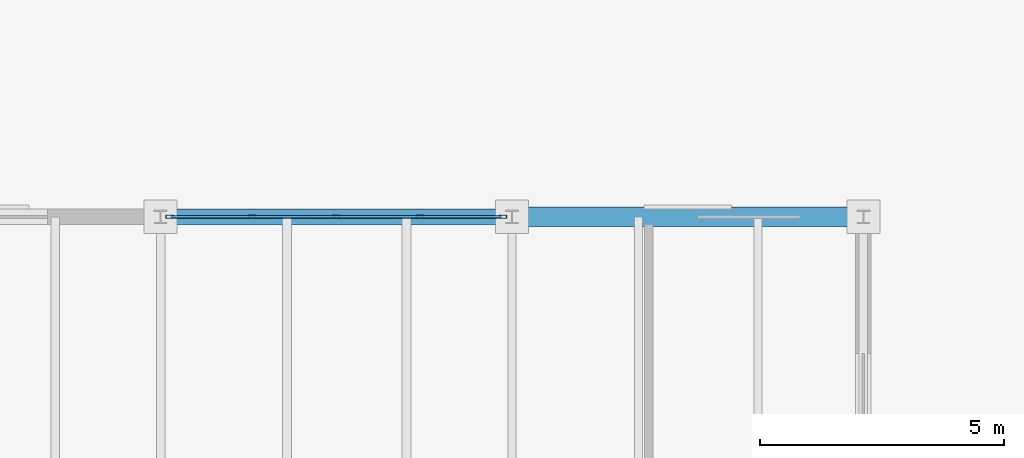
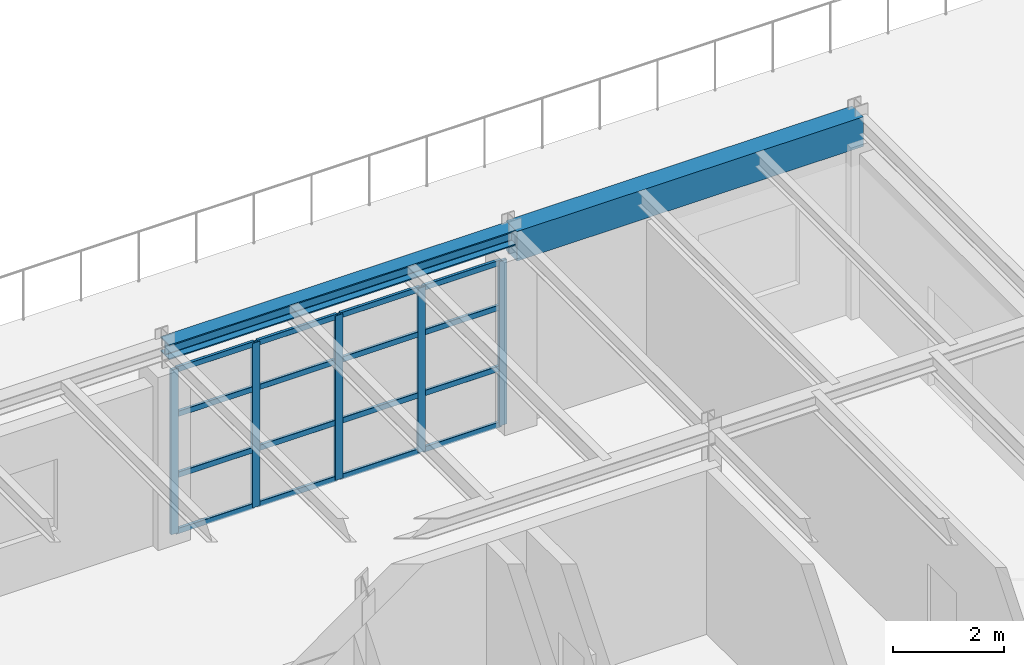
# One storey, part 76 of 101: 21 members, 2 beams, 1 element without a shape of its own.
"""IFC4 building model written with IfcOpenShell, lengths in metres."""

import ifcopenshell
import ifcopenshell.guid

model = None  # the IFC model being written
_history = None  # IfcOwnerHistory: only IFC2X3 demands one
_inside = {}  # id of a spatial element -> (the spatial element, [elements in it])
_under = {}  # id of a project, library or spatial element -> (it, [spatial elements below it])
_declared = {}  # id of a project -> (the project, [libraries it declares])
_typed = {}  # id of a type object -> (the type object, [elements of that type])
_made_of = {}  # id of a material, layer set ... -> (it, [elements and type objects made of it])


def new_model(schema):
    """Start an empty IFC model of exactly this schema.

    Asked for "IFC4X3", IfcOpenShell would pick the latest addendum, in which some entities
    have other attributes; the version numbers below select the first issue.
    IFC2X3 requires an IfcOwnerHistory on every rooted entity: one is made here for all.
    """
    global model, _history
    if schema == "IFC4X3":
        model = ifcopenshell.file(schema_version=(4, 3, 0, 0))
    else:
        model = ifcopenshell.file(schema=schema)
    _inside.clear()
    _under.clear()
    _declared.clear()
    _typed.clear()
    _made_of.clear()
    _history = None
    if model.schema == "IFC2X3":
        org = make("IfcOrganization", Name="unknown")
        user = make(
            "IfcPersonAndOrganization",
            ThePerson=make("IfcPerson", FamilyName="unknown"),
            TheOrganization=org,
        )
        app = make(
            "IfcApplication",
            ApplicationDeveloper=org,
            Version="unknown",
            ApplicationFullName="unknown",
            ApplicationIdentifier="unknown",
        )
        _history = make(
            "IfcOwnerHistory",
            OwningUser=user,
            OwningApplication=app,
            ChangeAction="ADDED",
            CreationDate=0,
        )
    return model


def make(cls, **values):
    """One entity of the class cls with the attributes given. An attribute that is None is left unset."""
    return model.create_entity(
        cls, **{name: value for name, value in values.items() if value is not None}
    )


def rooted(cls, **values):
    """An entity with a GlobalId (a new one), such as an element, a storey or a relation."""
    return make(cls, GlobalId=ifcopenshell.guid.new(), OwnerHistory=_history, **values)


def si_unit(unit_type, name, prefix=None):
    """IfcSIUnit, for example si_unit("LENGTHUNIT", "METRE", prefix="MILLI")."""
    return make("IfcSIUnit", UnitType=unit_type, Prefix=prefix, Name=name)


def assignment(units):
    """IfcUnitAssignment: the units of a project."""
    return None if units is None else make("IfcUnitAssignment", Units=units)


def point(xyz):
    """IfcCartesianPoint."""
    return None if xyz is None else make("IfcCartesianPoint", Coordinates=xyz)


def direction(xyz):
    """IfcDirection."""
    return None if xyz is None else make("IfcDirection", DirectionRatios=xyz)


def frame(location, z_axis=None, x_axis=None):
    """IfcAxis2Placement3D, a coordinate frame: its origin and axes. An axis left out is left unset."""
    return make(
        "IfcAxis2Placement3D",
        Location=point(location),
        Axis=direction(z_axis),
        RefDirection=direction(x_axis),
    )


def frame_2d(location, x_axis=None):
    """IfcAxis2Placement2D, a coordinate frame in the plane: its origin and x axis."""
    return make(
        "IfcAxis2Placement2D", Location=point(location), RefDirection=direction(x_axis)
    )


def origin():
    """The frame at (0, 0, 0) with its axes left unset."""
    return frame((0.0, 0.0, 0.0))


def origin_2d():
    """The frame at (0, 0) in the plane with its x axis left unset."""
    return frame_2d((0.0, 0.0))


def place(relative_to, where):
    """IfcLocalPlacement: puts the frame where relative to a parent placement (None: the world)."""
    return make(
        "IfcLocalPlacement", PlacementRelTo=relative_to, RelativePlacement=where
    )


def context(
    kind, dimensions, precision=None, world=None, true_north=None, identifier=None
):
    """IfcGeometricRepresentationContext, for example the 3D "Model" context."""
    return make(
        "IfcGeometricRepresentationContext",
        ContextIdentifier=identifier,
        ContextType=kind,
        CoordinateSpaceDimension=dimensions,
        Precision=precision,
        WorldCoordinateSystem=world,
        TrueNorth=true_north,
    )


def subcontext(parent, identifier, kind, view, scale=None):
    """IfcGeometricRepresentationSubContext, for example "Body" below "Model"."""
    return make(
        "IfcGeometricRepresentationSubContext",
        ContextIdentifier=identifier,
        ContextType=kind,
        ParentContext=parent,
        TargetScale=scale,
        TargetView=view,
    )


def project(units=None, contexts=None):
    """IfcProject with its units and contexts."""
    return rooted(
        "IfcProject",
        Name="project",
        RepresentationContexts=contexts,
        UnitsInContext=assignment(units),
    )


def spatial(cls, under=None, at=None, **own):
    """A site, building, storey or space (cls), placed at a placement, below another one or the project."""
    s = rooted(cls, ObjectPlacement=at, **own)
    if under is not None:
        _under.setdefault(under.id(), (under, []))[1].append(s)
    return s


def profile(cls, at=None, kind="AREA", **sizes):
    """A parametric profile (cls). Its sizes go by their IFC names, for example OverallWidth=200.0."""
    return make(cls, ProfileType=kind, Position=at, **sizes)


def rectangle(**sizes):
    """IfcRectangleProfileDef."""
    return profile("IfcRectangleProfileDef", **sizes)


def hollow_rectangle(**sizes):
    """IfcRectangleHollowProfileDef."""
    return profile("IfcRectangleHollowProfileDef", **sizes)


def i_section(**sizes):
    """IfcIShapeProfileDef."""
    return profile("IfcIShapeProfileDef", **sizes)


def extrude(swept, where, along, depth):
    """IfcExtrudedAreaSolid: the profile swept, set in the frame where, extruded along a direction by depth."""
    return make(
        "IfcExtrudedAreaSolid",
        SweptArea=swept,
        Position=where,
        ExtrudedDirection=direction(along),
        Depth=depth,
    )


def shape(context_of_items, identifier, shape_type, items):
    """IfcShapeRepresentation: the items that make up one representation, for example the "Body"."""
    return make(
        "IfcShapeRepresentation",
        ContextOfItems=context_of_items,
        RepresentationIdentifier=identifier,
        RepresentationType=shape_type,
        Items=items,
    )


def material(Name=None, Category=None):
    """IfcMaterial."""
    return make("IfcMaterial", Name=Name, Category=Category)


def layer(
    of_material, thickness, ventilated=None, Name=None, Category=None, Priority=None
):
    """IfcMaterialLayer: one layer of a wall or slab, of a material (None: an air gap)."""
    return make(
        "IfcMaterialLayer",
        Material=of_material,
        LayerThickness=thickness,
        IsVentilated=ventilated,
        Name=Name,
        Category=Category,
        Priority=Priority,
    )


def layer_set(layers, Name=None):
    """IfcMaterialLayerSet."""
    return make("IfcMaterialLayerSet", MaterialLayers=layers, LayerSetName=Name)


def material_profile(
    of_material, cross_section, Name=None, Category=None, Priority=None
):
    """IfcMaterialProfile: a cross section and its material."""
    return make(
        "IfcMaterialProfile",
        Name=Name,
        Material=of_material,
        Profile=cross_section,
        Priority=Priority,
        Category=Category,
    )


def profile_set(profiles, Name=None, composite=None):
    """IfcMaterialProfileSet."""
    return make(
        "IfcMaterialProfileSet",
        Name=Name,
        MaterialProfiles=profiles,
        CompositeProfile=composite,
    )


def made_of(thing, what):
    """Note that an element or type object is made of a material, layer set ...; save() writes the relation."""
    if what is not None:
        _made_of.setdefault(what.id(), (what, []))[1].append(thing)
    return thing


def type_object(cls, material=None, **own):
    """A type object (cls), such as IfcWallType, which elements share."""
    return made_of(rooted(cls, **own), material)


def element(
    cls,
    number,
    at=None,
    inside=None,
    cuts=None,
    type_object=None,
    material=None,
    context=None,
    identifier="Body",
    shape_type=None,
    held_by="IfcProductDefinitionShape",
    body=None,
    shapes=None,
    **own,
):
    """One element of the class cls, such as IfcWall. Its Tag is "e" and its number.

    at: its placement. inside: the storey or other place that contains it. cuts: it is an
    opening in that element (IfcRelVoidsElement). A single representation is given by context,
    identifier, shape_type and body (its items); several are given by shapes. held_by: the class
    of the entity that holds the representations. save() writes the other relations.
    """
    e = rooted(cls, Tag="e%d" % number, ObjectPlacement=at, **own)
    if body is not None:
        shapes = [shape(context, identifier, shape_type, body)]
    if shapes is not None:
        e.Representation = make(held_by, Representations=shapes)
    if inside is not None:
        _inside.setdefault(inside.id(), (inside, []))[1].append(e)
    if cuts is not None:
        rooted(
            "IfcRelVoidsElement", RelatingBuildingElement=cuts, RelatedOpeningElement=e
        )
    if type_object is not None:
        _typed.setdefault(type_object.id(), (type_object, []))[1].append(e)
    return made_of(e, material)


def aggregate(whole, parts):
    """IfcRelAggregates: a whole, such as a stair, and the parts it consists of."""
    return rooted("IfcRelAggregates", RelatingObject=whole, RelatedObjects=parts)


def save(model, path):
    """Write the relations noted so far, then the file.

    IfcRelAggregates (storeys below a building ...), IfcRelContainedInSpatialStructure (elements
    in a storey), IfcRelDefinesByType, IfcRelAssociatesMaterial and IfcRelDeclares: one each for
    every whole, place, type object, material and project.
    """
    for whole, parts in _under.values():
        aggregate(whole, parts)
    for where, things in _inside.values():
        rooted(
            "IfcRelContainedInSpatialStructure",
            RelatedElements=things,
            RelatingStructure=where,
        )
    for kind, things in _typed.values():
        rooted("IfcRelDefinesByType", RelatedObjects=things, RelatingType=kind)
    for what, things in _made_of.values():
        rooted("IfcRelAssociatesMaterial", RelatedObjects=things, RelatingMaterial=what)
    for by, libraries in _declared.values():
        rooted("IfcRelDeclares", RelatingContext=by, RelatedDefinitions=libraries)
    model.write(path)


model = new_model("IFC4")

# Units and contexts
model_context = context("Model", 3, precision=1e-05, world=origin(), true_north=direction((0.0, 1.0)))
body_context = subcontext(model_context, "Body", "Model", "MODEL_VIEW")
ifc_project = project(units=[si_unit("LENGTHUNIT", "METRE"), si_unit("AREAUNIT", "SQUARE_METRE"), si_unit("VOLUMEUNIT", "CUBIC_METRE"), si_unit("PLANEANGLEUNIT", "RADIAN"), si_unit("MASSUNIT", "GRAM", prefix="KILO")], contexts=[model_context])

# Site, building, storey
site_placement = place(None, origin())
site = spatial("IfcSite", under=ifc_project, at=site_placement, CompositionType="ELEMENT")
building_placement = place(site_placement, origin())
building = spatial("IfcBuilding", under=site, at=building_placement, Name="Kemerveld Promenade Tramway Depot", CompositionType="ELEMENT")
storey_placement = place(building_placement, frame((0.0, 0.0, 9.89990234375)))
storey = spatial("IfcBuildingStorey", under=building, at=storey_placement, Name="L02", CompositionType="ELEMENT", Elevation=9.89990234375)

# Beams
ifc_material_1 = material(Name="Steel S355", Category="steel")
ifc_material_profile_1 = material_profile(ifc_material_1, i_section(OverallWidth=0.311279296875, OverallDepth=0.3271484375, WebThickness=0.015869140625, FlangeThickness=0.02490234375, FilletRadius=0.01513671875, at=origin_2d()), Name="305x305x158 UC")
ifc_profile_set_1 = profile_set([ifc_material_profile_1], Name="Steel S355")
beam_type_1 = type_object("IfcBeamType", Name="BM-G13", PredefinedType="BEAM", material=ifc_profile_set_1)
beam_1_placement = place(storey_placement, frame((36.0, 72.0, 4.12158203125), z_axis=(1.0, 0.0, 0.0), x_axis=(0.0, 1.0, 0.0)))
element("IfcBeam", 1, at=beam_1_placement, inside=storey, type_object=beam_type_1, Name="BMX-L02-06-07-L", PredefinedType="BEAM", context=body_context, shape_type="SweptSolid", body=[
    extrude(i_section(OverallWidth=0.311279296875, OverallDepth=0.3271484375, WebThickness=0.015869140625, FlangeThickness=0.02490234375, FilletRadius=0.01513671875, at=origin_2d()), origin(), (0.0, 0.0, 1.0), 7.199951171875),
])
ifc_material_2 = material(Name="Concrete C40/50", Category="concrete")
ifc_material_profile_2 = material_profile(ifc_material_2, rectangle(XDim=0.39990234375, YDim=0.64990234375, at=origin_2d()), Name="RC-BM-400x650")
ifc_profile_set_2 = profile_set([ifc_material_profile_2], Name="Concrete C40/50")
beam_type_2 = type_object("IfcBeamType", Name="BM-RC1", PredefinedType="BEAM", material=ifc_profile_set_2)
beam_2_placement = place(storey_placement, frame((43.199951171875, 72.0, 3.960205078125), z_axis=(1.0, 0.0, 0.0), x_axis=(0.0, 1.0, 0.0)))
element("IfcBeam", 2, at=beam_2_placement, inside=storey, type_object=beam_type_2, Name="BMX-L02-07-08-L", PredefinedType="BEAM", context=body_context, shape_type="SweptSolid", body=[
    extrude(rectangle(XDim=0.39990234375, YDim=0.64990234375, at=origin_2d()), origin(), (0.0, 0.0, 1.0), 7.199951171875),
])

# Curtain wall, members
ifc_material_3 = material(Name="Bronze anodised aluminium and solar glass", Category="aluminium")
ifc_layer = layer(ifc_material_3, 0.159912109375)
ifc_layer_set = layer_set([ifc_layer], Name="CW-SYS-09")
curtain_wall_type = type_object("IfcCurtainWallType", Name="CW-SYS-09", PredefinedType="USERDEFINED", material=ifc_layer_set)
curtain_wall_placement = place(storey_placement, origin())
curtain_wall = element("IfcCurtainWall", 3, at=curtain_wall_placement, inside=storey, type_object=curtain_wall_type, Name="CW-L02-V5N-06", ObjectType="GLAZED_CURTAIN_WALL", PredefinedType="USERDEFINED")
ifc_material_4 = material(Name="Bronze anodised aluminium", Category="aluminium")
ifc_material_profile_3 = material_profile(ifc_material_4, hollow_rectangle(XDim=0.06494140625, YDim=0.159912109375, WallThickness=0.00390625, InnerFilletRadius=0.001953125, OuterFilletRadius=0.00390625, at=origin_2d()), Name="CW-MUL-160x65")
ifc_profile_set_3 = profile_set([ifc_material_profile_3], Name="Bronze anodised aluminium")
member_type_1 = type_object("IfcMemberType", Name="CW-MUL-A", PredefinedType="MULLION", material=ifc_profile_set_3)
member_1_placement = place(storey_placement, frame((36.190673828125, 72.0, 0.0), z_axis=(0.0, 0.0, 1.0), x_axis=(0.0, 1.0, 0.0)))
member_1 = element("IfcMember", 4, at=member_1_placement, type_object=member_type_1, Name="CW09 mullion 1", PredefinedType="MULLION", context=body_context, shape_type="SweptSolid", body=[
    extrude(hollow_rectangle(XDim=0.06494140625, YDim=0.159912109375, WallThickness=0.00390625, InnerFilletRadius=0.001953125, OuterFilletRadius=0.00390625, at=origin_2d()), origin(), (0.0, 0.0, 1.0), 3.614990234375),
])
member_2_placement = place(storey_placement, frame((37.879150390625, 72.0, 0.0), z_axis=(0.0, 0.0, 1.0), x_axis=(0.0, 1.0, 0.0)))
member_2 = element("IfcMember", 5, at=member_2_placement, type_object=member_type_1, Name="CW09 mullion 2", PredefinedType="MULLION", context=body_context, shape_type="SweptSolid", body=[
    extrude(hollow_rectangle(XDim=0.06494140625, YDim=0.159912109375, WallThickness=0.00390625, InnerFilletRadius=0.001953125, OuterFilletRadius=0.00390625, at=origin_2d()), origin(), (0.0, 0.0, 1.0), 3.614990234375),
])
member_3_placement = place(storey_placement, frame((39.60009765625, 72.0, 0.0), z_axis=(0.0, 0.0, 1.0), x_axis=(0.0, 1.0, 0.0)))
member_3 = element("IfcMember", 6, at=member_3_placement, type_object=member_type_1, Name="CW09 mullion 3", PredefinedType="MULLION", context=body_context, shape_type="SweptSolid", body=[
    extrude(hollow_rectangle(XDim=0.06494140625, YDim=0.159912109375, WallThickness=0.00390625, InnerFilletRadius=0.001953125, OuterFilletRadius=0.00390625, at=origin_2d()), origin(), (0.0, 0.0, 1.0), 3.614990234375),
])
member_4_placement = place(storey_placement, frame((41.321044921875, 72.0, 0.0), z_axis=(0.0, 0.0, 1.0), x_axis=(0.0, 1.0, 0.0)))
member_4 = element("IfcMember", 7, at=member_4_placement, type_object=member_type_1, Name="CW09 mullion 4", PredefinedType="MULLION", context=body_context, shape_type="SweptSolid", body=[
    extrude(hollow_rectangle(XDim=0.06494140625, YDim=0.159912109375, WallThickness=0.00390625, InnerFilletRadius=0.001953125, OuterFilletRadius=0.00390625, at=origin_2d()), origin(), (0.0, 0.0, 1.0), 3.614990234375),
])
member_5_placement = place(storey_placement, frame((43.009521484375, 72.0, 0.0), z_axis=(0.0, 0.0, 1.0), x_axis=(0.0, 1.0, 0.0)))
member_5 = element("IfcMember", 8, at=member_5_placement, type_object=member_type_1, Name="CW09 mullion 5", PredefinedType="MULLION", context=body_context, shape_type="SweptSolid", body=[
    extrude(hollow_rectangle(XDim=0.06494140625, YDim=0.159912109375, WallThickness=0.00390625, InnerFilletRadius=0.001953125, OuterFilletRadius=0.00390625, at=origin_2d()), origin(), (0.0, 0.0, 1.0), 3.614990234375),
])
ifc_material_profile_4 = material_profile(ifc_material_4, hollow_rectangle(XDim=0.06005859375, YDim=0.1201171875, WallThickness=0.00390625, InnerFilletRadius=0.001953125, OuterFilletRadius=0.00390625, at=origin_2d()), Name="CW-TRN-120x60")
ifc_profile_set_4 = profile_set([ifc_material_profile_4], Name="Bronze anodised aluminium")
member_type_2 = type_object("IfcMemberType", Name="CW-TRN-A", PredefinedType="USERDEFINED", material=ifc_profile_set_4)
member_6_placement = place(storey_placement, frame((36.22314453125, 72.0, 0.030029296875), z_axis=(1.0, 0.0, 0.0), x_axis=(0.0, 1.0, 0.0)))
member_6 = element("IfcMember", 9, at=member_6_placement, type_object=member_type_2, Name="CW09 transom 1.1", ObjectType="TRANSOM", PredefinedType="USERDEFINED", context=body_context, shape_type="SweptSolid", body=[
    extrude(hollow_rectangle(XDim=0.06005859375, YDim=0.1201171875, WallThickness=0.00390625, InnerFilletRadius=0.001953125, OuterFilletRadius=0.00390625, at=origin_2d()), origin(), (0.0, 0.0, 1.0), 1.623291015625),
])
member_7_placement = place(storey_placement, frame((36.22314453125, 72.0, 1.26513671875), z_axis=(1.0, 0.0, 0.0), x_axis=(0.0, 1.0, 0.0)))
member_7 = element("IfcMember", 10, at=member_7_placement, type_object=member_type_2, Name="CW09 transom 1.2", ObjectType="TRANSOM", PredefinedType="USERDEFINED", context=body_context, shape_type="SweptSolid", body=[
    extrude(hollow_rectangle(XDim=0.06005859375, YDim=0.1201171875, WallThickness=0.00390625, InnerFilletRadius=0.001953125, OuterFilletRadius=0.00390625, at=origin_2d()), origin(), (0.0, 0.0, 1.0), 1.623291015625),
])
member_8_placement = place(storey_placement, frame((36.22314453125, 72.0, 2.60302734375), z_axis=(1.0, 0.0, 0.0), x_axis=(0.0, 1.0, 0.0)))
member_8 = element("IfcMember", 11, at=member_8_placement, type_object=member_type_2, Name="CW09 transom 1.3", ObjectType="TRANSOM", PredefinedType="USERDEFINED", context=body_context, shape_type="SweptSolid", body=[
    extrude(hollow_rectangle(XDim=0.06005859375, YDim=0.1201171875, WallThickness=0.00390625, InnerFilletRadius=0.001953125, OuterFilletRadius=0.00390625, at=origin_2d()), origin(), (0.0, 0.0, 1.0), 1.623291015625),
])
member_9_placement = place(storey_placement, frame((36.22314453125, 72.0, 3.585205078125), z_axis=(1.0, 0.0, 0.0), x_axis=(0.0, 1.0, 0.0)))
member_9 = element("IfcMember", 12, at=member_9_placement, type_object=member_type_2, Name="CW09 transom 1.4", ObjectType="TRANSOM", PredefinedType="USERDEFINED", context=body_context, shape_type="SweptSolid", body=[
    extrude(hollow_rectangle(XDim=0.06005859375, YDim=0.1201171875, WallThickness=0.00390625, InnerFilletRadius=0.001953125, OuterFilletRadius=0.00390625, at=origin_2d()), origin(), (0.0, 0.0, 1.0), 1.623291015625),
])
member_10_placement = place(storey_placement, frame((37.91162109375, 72.0, 0.030029296875), z_axis=(1.0, 0.0, 0.0), x_axis=(0.0, 1.0, 0.0)))
member_10 = element("IfcMember", 13, at=member_10_placement, type_object=member_type_2, Name="CW09 transom 2.1", ObjectType="TRANSOM", PredefinedType="USERDEFINED", context=body_context, shape_type="SweptSolid", body=[
    extrude(hollow_rectangle(XDim=0.06005859375, YDim=0.1201171875, WallThickness=0.00390625, InnerFilletRadius=0.001953125, OuterFilletRadius=0.00390625, at=origin_2d()), origin(), (0.0, 0.0, 1.0), 1.65576171875),
])
member_11_placement = place(storey_placement, frame((37.91162109375, 72.0, 1.26513671875), z_axis=(1.0, 0.0, 0.0), x_axis=(0.0, 1.0, 0.0)))
member_11 = element("IfcMember", 14, at=member_11_placement, type_object=member_type_2, Name="CW09 transom 2.2", ObjectType="TRANSOM", PredefinedType="USERDEFINED", context=body_context, shape_type="SweptSolid", body=[
    extrude(hollow_rectangle(XDim=0.06005859375, YDim=0.1201171875, WallThickness=0.00390625, InnerFilletRadius=0.001953125, OuterFilletRadius=0.00390625, at=origin_2d()), origin(), (0.0, 0.0, 1.0), 1.65576171875),
])
member_12_placement = place(storey_placement, frame((37.91162109375, 72.0, 2.60302734375), z_axis=(1.0, 0.0, 0.0), x_axis=(0.0, 1.0, 0.0)))
member_12 = element("IfcMember", 15, at=member_12_placement, type_object=member_type_2, Name="CW09 transom 2.3", ObjectType="TRANSOM", PredefinedType="USERDEFINED", context=body_context, shape_type="SweptSolid", body=[
    extrude(hollow_rectangle(XDim=0.06005859375, YDim=0.1201171875, WallThickness=0.00390625, InnerFilletRadius=0.001953125, OuterFilletRadius=0.00390625, at=origin_2d()), origin(), (0.0, 0.0, 1.0), 1.65576171875),
])
member_13_placement = place(storey_placement, frame((37.91162109375, 72.0, 3.585205078125), z_axis=(1.0, 0.0, 0.0), x_axis=(0.0, 1.0, 0.0)))
member_13 = element("IfcMember", 16, at=member_13_placement, type_object=member_type_2, Name="CW09 transom 2.4", ObjectType="TRANSOM", PredefinedType="USERDEFINED", context=body_context, shape_type="SweptSolid", body=[
    extrude(hollow_rectangle(XDim=0.06005859375, YDim=0.1201171875, WallThickness=0.00390625, InnerFilletRadius=0.001953125, OuterFilletRadius=0.00390625, at=origin_2d()), origin(), (0.0, 0.0, 1.0), 1.65576171875),
])
member_14_placement = place(storey_placement, frame((39.632568359375, 72.0, 0.030029296875), z_axis=(1.0, 0.0, 0.0), x_axis=(0.0, 1.0, 0.0)))
member_14 = element("IfcMember", 17, at=member_14_placement, type_object=member_type_2, Name="CW09 transom 3.1", ObjectType="TRANSOM", PredefinedType="USERDEFINED", context=body_context, shape_type="SweptSolid", body=[
    extrude(hollow_rectangle(XDim=0.06005859375, YDim=0.1201171875, WallThickness=0.00390625, InnerFilletRadius=0.001953125, OuterFilletRadius=0.00390625, at=origin_2d()), origin(), (0.0, 0.0, 1.0), 1.65576171875),
])
member_15_placement = place(storey_placement, frame((39.632568359375, 72.0, 1.26513671875), z_axis=(1.0, 0.0, 0.0), x_axis=(0.0, 1.0, 0.0)))
member_15 = element("IfcMember", 18, at=member_15_placement, type_object=member_type_2, Name="CW09 transom 3.2", ObjectType="TRANSOM", PredefinedType="USERDEFINED", context=body_context, shape_type="SweptSolid", body=[
    extrude(hollow_rectangle(XDim=0.06005859375, YDim=0.1201171875, WallThickness=0.00390625, InnerFilletRadius=0.001953125, OuterFilletRadius=0.00390625, at=origin_2d()), origin(), (0.0, 0.0, 1.0), 1.65576171875),
])
member_16_placement = place(storey_placement, frame((39.632568359375, 72.0, 2.60302734375), z_axis=(1.0, 0.0, 0.0), x_axis=(0.0, 1.0, 0.0)))
member_16 = element("IfcMember", 19, at=member_16_placement, type_object=member_type_2, Name="CW09 transom 3.3", ObjectType="TRANSOM", PredefinedType="USERDEFINED", context=body_context, shape_type="SweptSolid", body=[
    extrude(hollow_rectangle(XDim=0.06005859375, YDim=0.1201171875, WallThickness=0.00390625, InnerFilletRadius=0.001953125, OuterFilletRadius=0.00390625, at=origin_2d()), origin(), (0.0, 0.0, 1.0), 1.65576171875),
])
member_17_placement = place(storey_placement, frame((39.632568359375, 72.0, 3.585205078125), z_axis=(1.0, 0.0, 0.0), x_axis=(0.0, 1.0, 0.0)))
member_17 = element("IfcMember", 20, at=member_17_placement, type_object=member_type_2, Name="CW09 transom 3.4", ObjectType="TRANSOM", PredefinedType="USERDEFINED", context=body_context, shape_type="SweptSolid", body=[
    extrude(hollow_rectangle(XDim=0.06005859375, YDim=0.1201171875, WallThickness=0.00390625, InnerFilletRadius=0.001953125, OuterFilletRadius=0.00390625, at=origin_2d()), origin(), (0.0, 0.0, 1.0), 1.65576171875),
])
member_18_placement = place(storey_placement, frame((41.353515625, 72.0, 0.030029296875), z_axis=(1.0, 0.0, 0.0), x_axis=(0.0, 1.0, 0.0)))
member_18 = element("IfcMember", 21, at=member_18_placement, type_object=member_type_2, Name="CW09 transom 4.1", ObjectType="TRANSOM", PredefinedType="USERDEFINED", context=body_context, shape_type="SweptSolid", body=[
    extrude(hollow_rectangle(XDim=0.06005859375, YDim=0.1201171875, WallThickness=0.00390625, InnerFilletRadius=0.001953125, OuterFilletRadius=0.00390625, at=origin_2d()), origin(), (0.0, 0.0, 1.0), 1.623291015625),
])
member_19_placement = place(storey_placement, frame((41.353515625, 72.0, 1.26513671875), z_axis=(1.0, 0.0, 0.0), x_axis=(0.0, 1.0, 0.0)))
member_19 = element("IfcMember", 22, at=member_19_placement, type_object=member_type_2, Name="CW09 transom 4.2", ObjectType="TRANSOM", PredefinedType="USERDEFINED", context=body_context, shape_type="SweptSolid", body=[
    extrude(hollow_rectangle(XDim=0.06005859375, YDim=0.1201171875, WallThickness=0.00390625, InnerFilletRadius=0.001953125, OuterFilletRadius=0.00390625, at=origin_2d()), origin(), (0.0, 0.0, 1.0), 1.623291015625),
])
member_20_placement = place(storey_placement, frame((41.353515625, 72.0, 2.60302734375), z_axis=(1.0, 0.0, 0.0), x_axis=(0.0, 1.0, 0.0)))
member_20 = element("IfcMember", 23, at=member_20_placement, type_object=member_type_2, Name="CW09 transom 4.3", ObjectType="TRANSOM", PredefinedType="USERDEFINED", context=body_context, shape_type="SweptSolid", body=[
    extrude(hollow_rectangle(XDim=0.06005859375, YDim=0.1201171875, WallThickness=0.00390625, InnerFilletRadius=0.001953125, OuterFilletRadius=0.00390625, at=origin_2d()), origin(), (0.0, 0.0, 1.0), 1.623291015625),
])
member_21_placement = place(storey_placement, frame((41.353515625, 72.0, 3.585205078125), z_axis=(1.0, 0.0, 0.0), x_axis=(0.0, 1.0, 0.0)))
member_21 = element("IfcMember", 24, at=member_21_placement, type_object=member_type_2, Name="CW09 transom 4.4", ObjectType="TRANSOM", PredefinedType="USERDEFINED", context=body_context, shape_type="SweptSolid", body=[
    extrude(hollow_rectangle(XDim=0.06005859375, YDim=0.1201171875, WallThickness=0.00390625, InnerFilletRadius=0.001953125, OuterFilletRadius=0.00390625, at=origin_2d()), origin(), (0.0, 0.0, 1.0), 1.623291015625),
])
aggregate(curtain_wall, [member_1, member_2, member_3, member_4, member_5, member_6, member_7, member_8, member_9, member_10, member_11, member_12, member_13, member_14, member_15, member_16, member_17, member_18, member_19, member_20, member_21])

save(model, "model.ifc")
